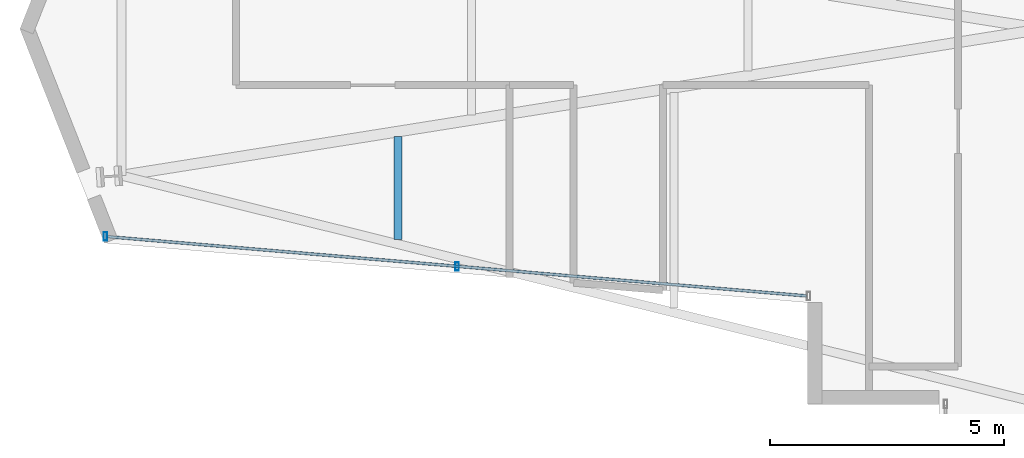
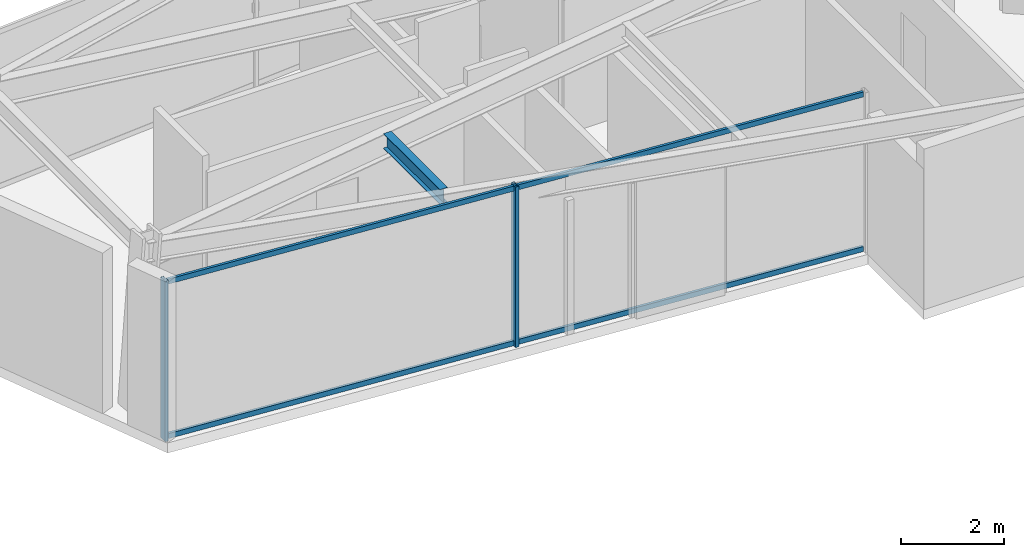
# One storey, part 2 of 25: 4 members, 1 beam, 1 element without a shape of its own.
"""IFC4 building model written with IfcOpenShell, lengths in metres."""

from ifc_helpers import new_model, si_unit, direction, frame, origin, origin_2d, place, context, subcontext, project, spatial, hollow_rectangle, i_section, extrude, material, layer, layer_set, material_profile, profile_set, type_object, element, aggregate, save


model = new_model("IFC4")

# Units and contexts
model_context = context("Model", 3, precision=1e-05, world=origin(), true_north=direction((0.0, 1.0)))
body_context = subcontext(model_context, "Body", "Model", "MODEL_VIEW")
ifc_project = project(units=[si_unit("LENGTHUNIT", "METRE"), si_unit("AREAUNIT", "SQUARE_METRE"), si_unit("VOLUMEUNIT", "CUBIC_METRE"), si_unit("PLANEANGLEUNIT", "RADIAN"), si_unit("MASSUNIT", "GRAM", prefix="KILO")], contexts=[model_context])

# Site, building, storey
site_placement = place(None, origin())
site = spatial("IfcSite", under=ifc_project, at=site_placement, CompositionType="ELEMENT")
building_placement = place(site_placement, origin())
building = spatial("IfcBuilding", under=site, at=building_placement, Name="Veymaron Broadcast Tower", CompositionType="ELEMENT")
storey_placement = place(building_placement, frame((0.0, 0.0, 149.25)))
storey = spatial("IfcBuildingStorey", under=building, at=storey_placement, Name="L34", CompositionType="ELEMENT", Elevation=149.25)

# Beam
ifc_material_1 = material(Name="Structural steel ASTM A992 Gr 50", Category="steel")
ifc_material_profile_1 = material_profile(ifc_material_1, i_section(OverallWidth=0.1708984375, OverallDepth=0.35498046875, WebThickness=0.007080078125, FlangeThickness=0.01171875, at=origin_2d()), Name="W360X51")
ifc_profile_set_1 = profile_set([ifc_material_profile_1], Name="Structural steel ASTM A992 Gr 50")
beam_type = type_object("IfcBeamType", Name="BM-JS2", PredefinedType="JOIST", material=ifc_profile_set_1)
beam_placement = place(storey_placement, frame((17.447509765625, 19.510498046875, 3.632568359375), z_axis=(0.0, 1.0, 0.0), x_axis=(-1.0, 0.0, 0.0)))
element("IfcBeam", 1, at=beam_placement, inside=storey, type_object=beam_type, Name="L34 Arm-A secondary joist 1S", PredefinedType="JOIST", context=body_context, shape_type="SweptSolid", body=[
    extrude(i_section(OverallWidth=0.1708984375, OverallDepth=0.35498046875, WebThickness=0.007080078125, FlangeThickness=0.01171875, at=origin_2d()), origin(), (0.0, 0.0, 1.0), 2.199951171875),
])

# Curtain wall, members
ifc_material_2 = material(Name="Anodised aluminium AA 6063-T6 and laminated low-E dark glass", Category="aluminium")
ifc_layer = layer(ifc_material_2, 0.179931640625)
ifc_layer_set = layer_set([ifc_layer], Name="Anodised aluminium AA 6063-T6 and laminated low-E dark glass")
curtain_wall_type = type_object("IfcCurtainWallType", Name="CW-SYS-03", PredefinedType="NOTDEFINED", material=ifc_layer_set)
curtain_wall_placement = place(storey_placement, origin())
curtain_wall = element("IfcCurtainWall", 2, at=curtain_wall_placement, inside=storey, type_object=curtain_wall_type, Name="L34 dark-glass curtain wall CW-L34-E14-1", PredefinedType="NOTDEFINED")
ifc_material_3 = material(Name="Anodised aluminium AA 6063-T6", Category="aluminium")
ifc_material_profile_2 = material_profile(ifc_material_3, hollow_rectangle(XDim=0.074951171875, YDim=0.179931640625, WallThickness=0.0048828125, at=origin_2d()), Name="AL180X75X5")
ifc_profile_set_2 = profile_set([ifc_material_profile_2], Name="Anodised aluminium AA 6063-T6")
member_type_1 = type_object("IfcMemberType", Name="CW-MUL-02", PredefinedType="MULLION", material=ifc_profile_set_2)
member_1_placement = place(storey_placement, frame((11.2119140625, 19.57373046875, 0.0), z_axis=(0.0, 0.0, 1.0), x_axis=(1.0, 0.0, 0.0)))
member_1 = element("IfcMember", 3, at=member_1_placement, type_object=member_type_1, Name="CW-L34-E14-1 mullion 0", PredefinedType="MULLION", context=body_context, shape_type="SweptSolid", body=[
    extrude(hollow_rectangle(XDim=0.074951171875, YDim=0.179931640625, WallThickness=0.0048828125, at=origin_2d()), origin(), (0.0, 0.0, 1.0), 3.81005859375),
])
member_2_placement = place(storey_placement, frame((18.7119140625, 18.937744140625, 0.0), z_axis=(0.0, 0.0, 1.0), x_axis=(1.0, 0.0, 0.0)))
member_2 = element("IfcMember", 4, at=member_2_placement, type_object=member_type_1, Name="CW-L34-E14-1 mullion 1", PredefinedType="MULLION", context=body_context, shape_type="SweptSolid", body=[
    extrude(hollow_rectangle(XDim=0.074951171875, YDim=0.179931640625, WallThickness=0.0048828125, at=origin_2d()), origin(), (0.0, 0.0, 1.0), 3.81005859375),
])
ifc_material_profile_3 = material_profile(ifc_material_3, hollow_rectangle(XDim=0.06005859375, YDim=0.1201171875, WallThickness=0.00390625, at=origin_2d()), Name="AL120X60X4")
ifc_profile_set_3 = profile_set([ifc_material_profile_3], Name="Anodised aluminium AA 6063-T6")
member_type_2 = type_object("IfcMemberType", Name="CW-TRN-02", PredefinedType="USERDEFINED", material=ifc_profile_set_3)
member_3_placement = place(storey_placement, frame((11.26171875, 19.569580078125, 0.070068359375), z_axis=(0.99642308754, -0.084504618907, 0.0), x_axis=(0.084504618907, 0.99642308754, 0.0)))
member_3 = element("IfcMember", 5, at=member_3_placement, type_object=member_type_2, Name="CW-L34-E14-1 transom B", ObjectType="TRANSOM", PredefinedType="USERDEFINED", context=body_context, shape_type="SweptSolid", body=[
    extrude(hollow_rectangle(XDim=0.06005859375, YDim=0.1201171875, WallThickness=0.00390625, at=origin_2d()), origin(), (0.0, 0.0, 1.0), 14.953857421875),
])
member_4_placement = place(storey_placement, frame((11.26171875, 19.569580078125, 3.739990234375), z_axis=(0.99642308754, -0.084504618907, 0.0), x_axis=(0.084504618907, 0.99642308754, 0.0)))
member_4 = element("IfcMember", 6, at=member_4_placement, type_object=member_type_2, Name="CW-L34-E14-1 transom T", ObjectType="TRANSOM", PredefinedType="USERDEFINED", context=body_context, shape_type="SweptSolid", body=[
    extrude(hollow_rectangle(XDim=0.06005859375, YDim=0.1201171875, WallThickness=0.00390625, at=origin_2d()), origin(), (0.0, 0.0, 1.0), 14.953857421875),
])
aggregate(curtain_wall, [member_1, member_2, member_3, member_4])

save(model, "model.ifc")
